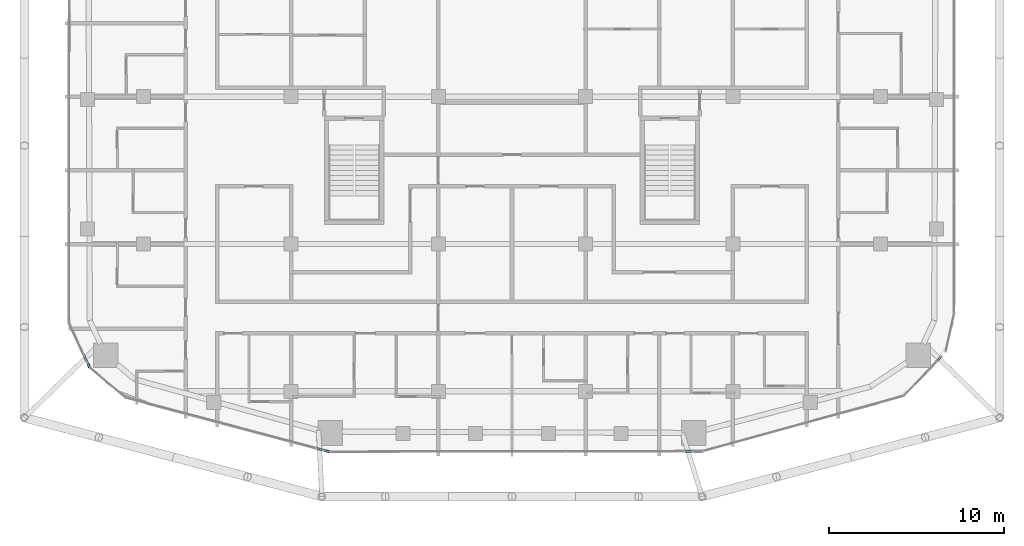
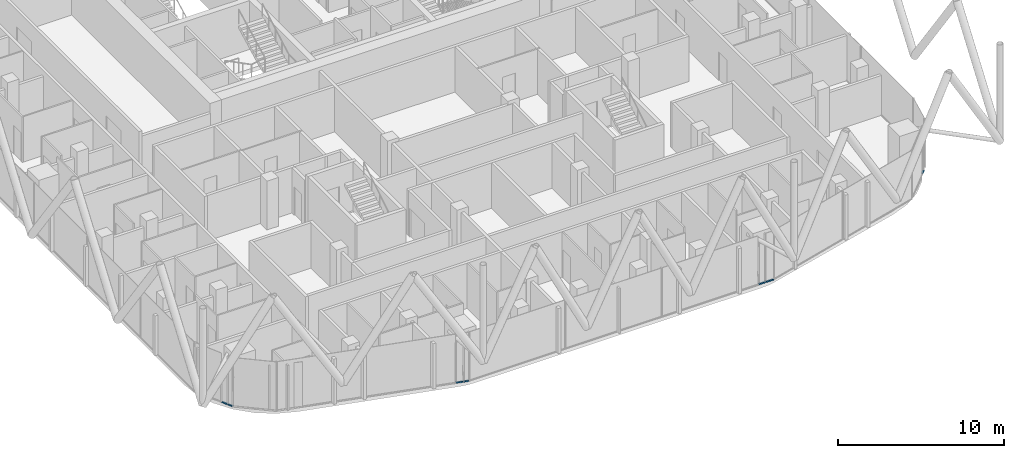
# One storey, part 12 of 28: 7 members, 7 elements without a shape of their own.
"""IFC4 building model written with IfcOpenShell, lengths in metres."""

from ifc_helpers import new_model, si_unit, direction, frame, origin, origin_2d, place, context, subcontext, project, spatial, rectangle, extrude, material, layer, layer_set, material_profile, profile_set, type_object, element, aggregate, save


model = new_model("IFC4")

# Units and contexts
model_context = context("Model", 3, precision=1e-05, world=origin(), true_north=direction((0.0, 1.0)))
body_context = subcontext(model_context, "Body", "Model", "MODEL_VIEW")
ifc_project = project(units=[si_unit("LENGTHUNIT", "METRE"), si_unit("AREAUNIT", "SQUARE_METRE"), si_unit("VOLUMEUNIT", "CUBIC_METRE"), si_unit("PLANEANGLEUNIT", "RADIAN"), si_unit("MASSUNIT", "GRAM", prefix="KILO")], contexts=[model_context])

# Site, building, storey
site_placement = place(None, origin())
site = spatial("IfcSite", under=ifc_project, at=site_placement, CompositionType="ELEMENT")
building_placement = place(site_placement, origin())
building = spatial("IfcBuilding", under=site, at=building_placement, Name="Marenta Gate Hotel Tower", CompositionType="ELEMENT")
storey_placement = place(building_placement, frame((0.0, 0.0, 227.300048828125)))
storey = spatial("IfcBuildingStorey", under=building, at=storey_placement, Name="L53", CompositionType="ELEMENT", Elevation=227.300048828125)

# Curtain wall, member
ifc_material_1 = material(Name="Tinted insulated glass in bronze anodised frame", Category="glass")
ifc_layer = layer(ifc_material_1, 0.1201171875)
ifc_layer_set = layer_set([ifc_layer], Name="Tinted insulated glass in bronze anodised frame")
curtain_wall_type = type_object("IfcCurtainWallType", Name="Tower unitised curtain wall CW1", PredefinedType="NOTDEFINED", material=ifc_layer_set)
curtain_wall_1_placement = place(storey_placement, origin())
curtain_wall_1 = element("IfcCurtainWall", 1, at=curtain_wall_1_placement, inside=storey, type_object=curtain_wall_type, Name="CW1 run G06", PredefinedType="NOTDEFINED")
ifc_material_2 = material(Name="Bronze anodised aluminium", Category="aluminium")
ifc_material_profile = material_profile(ifc_material_2, rectangle(XDim=0.1201171875, YDim=0.06005859375, at=origin_2d()), Name="Transom CW1 60x120 bronze anodised aluminium")
ifc_profile_set = profile_set([ifc_material_profile], Name="Bronze anodised aluminium")
member_type = type_object("IfcMemberType", Name="Transom CW1 60x120 bronze anodised aluminium", PredefinedType="USERDEFINED", material=ifc_profile_set)
member_1_placement = place(storey_placement, frame((-24.406005859375, -23.149169921875, 0.030029296875), z_axis=(0.42333108841, -0.905975049097, 0.0), x_axis=(0.905975049097, 0.42333108841, 0.0)))
member_1 = element("IfcMember", 2, at=member_1_placement, type_object=member_type, Name="CW1 transom 1.1", ObjectType="TRANSOM", PredefinedType="USERDEFINED", context=body_context, shape_type="SweptSolid", body=[
    extrude(rectangle(XDim=0.1201171875, YDim=0.06005859375, at=origin_2d()), origin(), (0.0, 0.0, 1.0), 0.419921875),
])
aggregate(curtain_wall_1, [member_1])

curtain_wall_2_placement = place(storey_placement, origin())
curtain_wall_2 = element("IfcCurtainWall", 3, at=curtain_wall_2_placement, inside=storey, type_object=curtain_wall_type, Name="CW1 run G07", PredefinedType="NOTDEFINED")
member_2_placement = place(storey_placement, frame((-24.202880859375, -23.583740234375, 0.030029296875), z_axis=(0.422602733719, -0.90631502771, 0.0), x_axis=(0.90631502771, 0.422602733719, 0.0)))
member_2 = element("IfcMember", 4, at=member_2_placement, type_object=member_type, Name="CW1 transom 1.1", ObjectType="TRANSOM", PredefinedType="USERDEFINED", context=body_context, shape_type="SweptSolid", body=[
    extrude(rectangle(XDim=0.1201171875, YDim=0.06005859375, at=origin_2d()), origin(), (0.0, 0.0, 1.0), 0.28369140625),
])
aggregate(curtain_wall_2, [member_2])

curtain_wall_3_placement = place(storey_placement, origin())
curtain_wall_3 = element("IfcCurtainWall", 5, at=curtain_wall_3_placement, inside=storey, type_object=curtain_wall_type, Name="CW1 run G10", PredefinedType="NOTDEFINED")
member_3_placement = place(storey_placement, frame((-11.14599609375, -28.450439453125, 0.030029296875), z_axis=(0.966371226399, -0.257151031083, 0.0), x_axis=(0.257151031083, 0.966371226399, 0.0)))
member_3 = element("IfcMember", 6, at=member_3_placement, type_object=member_type, Name="CW1 transom 1.1", ObjectType="TRANSOM", PredefinedType="USERDEFINED", context=body_context, shape_type="SweptSolid", body=[
    extrude(rectangle(XDim=0.1201171875, YDim=0.06005859375, at=origin_2d()), origin(), (0.0, 0.0, 1.0), 0.415771484375),
])
aggregate(curtain_wall_3, [member_3])

curtain_wall_4_placement = place(storey_placement, origin())
curtain_wall_4 = element("IfcCurtainWall", 7, at=curtain_wall_4_placement, inside=storey, type_object=curtain_wall_type, Name="CW1 run G11", PredefinedType="NOTDEFINED")
member_4_placement = place(storey_placement, frame((-10.686279296875, -28.57275390625, 0.030029296875), z_axis=(0.966262873917, -0.257557874058, 0.0), x_axis=(0.257557874058, 0.966262873917, 0.0)))
member_4 = element("IfcMember", 8, at=member_4_placement, type_object=member_type, Name="CW1 transom 1.1", ObjectType="TRANSOM", PredefinedType="USERDEFINED", context=body_context, shape_type="SweptSolid", body=[
    extrude(rectangle(XDim=0.1201171875, YDim=0.06005859375, at=origin_2d()), origin(), (0.0, 0.0, 1.0), 0.2900390625),
])
aggregate(curtain_wall_4, [member_4])

curtain_wall_5_placement = place(storey_placement, origin())
curtain_wall_5 = element("IfcCurtainWall", 9, at=curtain_wall_5_placement, inside=storey, type_object=curtain_wall_type, Name="CW1 run G13", PredefinedType="NOTDEFINED")
member_5_placement = place(storey_placement, frame((9.85498046875, -28.6142578125, 0.030029296875), z_axis=(0.9999984374, 0.001767822812, 0.0), x_axis=(-0.001767822812, 0.9999984374, 0.0)))
member_5 = element("IfcMember", 10, at=member_5_placement, type_object=member_type, Name="CW1 transom 1.1", ObjectType="TRANSOM", PredefinedType="USERDEFINED", context=body_context, shape_type="SweptSolid", body=[
    extrude(rectangle(XDim=0.1201171875, YDim=0.06005859375, at=origin_2d()), origin(), (0.0, 0.0, 1.0), 0.414306640625),
])
aggregate(curtain_wall_5, [member_5])

curtain_wall_6_placement = place(storey_placement, origin())
curtain_wall_6 = element("IfcCurtainWall", 11, at=curtain_wall_6_placement, inside=storey, type_object=curtain_wall_type, Name="CW1 run G14", PredefinedType="NOTDEFINED")
member_6_placement = place(storey_placement, frame((10.3291015625, -28.61328125, 0.030029296875), z_axis=(0.999999095908, 0.001344687265, 0.0), x_axis=(-0.001344687265, 0.999999095908, 0.0)))
member_6 = element("IfcMember", 12, at=member_6_placement, type_object=member_type, Name="CW1 transom 1.1", ObjectType="TRANSOM", PredefinedType="USERDEFINED", context=body_context, shape_type="SweptSolid", body=[
    extrude(rectangle(XDim=0.1201171875, YDim=0.06005859375, at=origin_2d()), origin(), (0.0, 0.0, 1.0), 0.544677734375),
])
aggregate(curtain_wall_6, [member_6])

curtain_wall_7_placement = place(storey_placement, origin())
curtain_wall_7 = element("IfcCurtainWall", 13, at=curtain_wall_7_placement, inside=storey, type_object=curtain_wall_type, Name="CW1 run G17", PredefinedType="NOTDEFINED")
member_7_placement = place(storey_placement, frame((24.244873046875, -23.461669921875, 0.030029296875), z_axis=(0.69228754022, 0.721621758026, 0.0), x_axis=(-0.721621758026, 0.69228754022, 0.0)))
member_7 = element("IfcMember", 14, at=member_7_placement, type_object=member_type, Name="CW1 transom 1.1", ObjectType="TRANSOM", PredefinedType="USERDEFINED", context=body_context, shape_type="SweptSolid", body=[
    extrude(rectangle(XDim=0.1201171875, YDim=0.06005859375, at=origin_2d()), origin(), (0.0, 0.0, 1.0), 0.3330078125),
])
aggregate(curtain_wall_7, [member_7])

save(model, "model.ifc")
